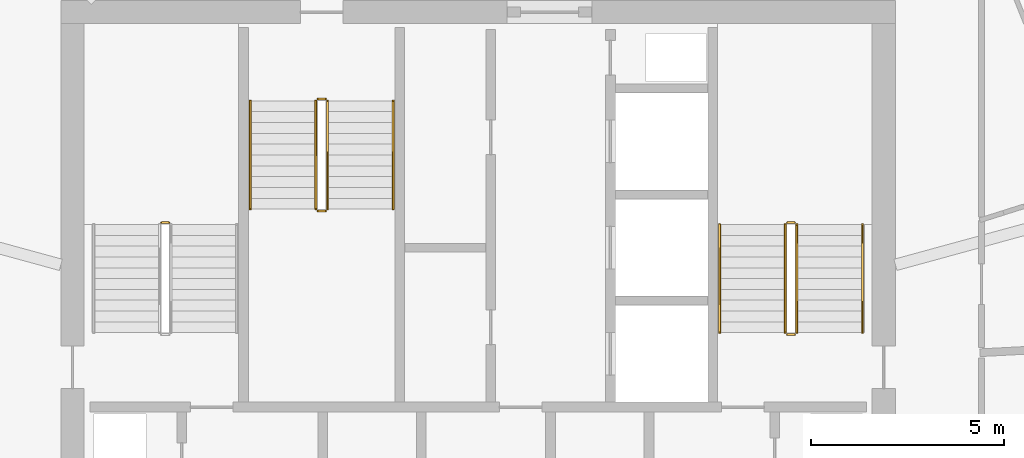
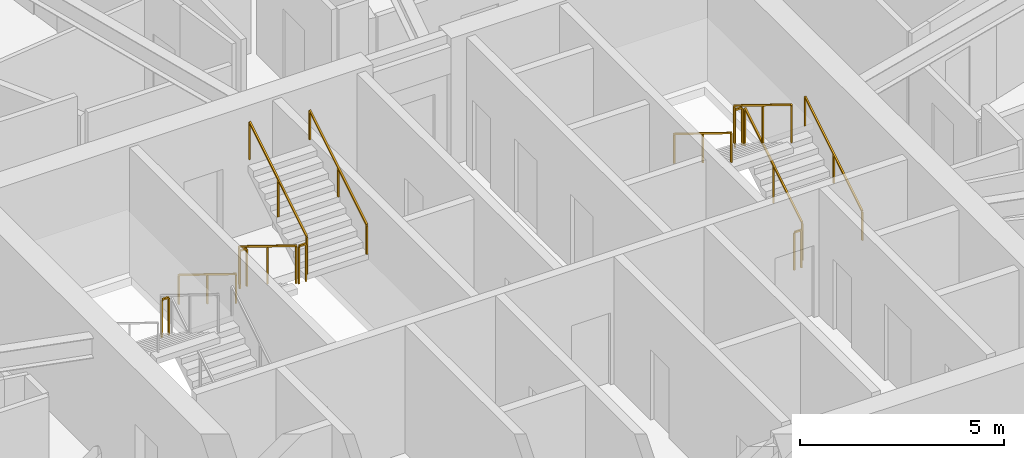
# One storey, part 27 of 28: 13 railings.
"""IFC4 building model written with IfcOpenShell, lengths in metres."""

from ifc_helpers import new_model, si_unit, direction, frame, origin, origin_2d, place, context, subcontext, project, spatial, rectangle, extrude, material, type_object, element, save


model = new_model("IFC4")

# Units and contexts
model_context = context("Model", 3, precision=1e-05, world=origin(), true_north=direction((0.0, 1.0)))
body_context = subcontext(model_context, "Body", "Model", "MODEL_VIEW")
ifc_project = project(units=[si_unit("LENGTHUNIT", "METRE"), si_unit("AREAUNIT", "SQUARE_METRE"), si_unit("VOLUMEUNIT", "CUBIC_METRE"), si_unit("PLANEANGLEUNIT", "RADIAN"), si_unit("MASSUNIT", "GRAM", prefix="KILO")], contexts=[model_context])

# Site, building, storey
site_placement = place(None, origin())
site = spatial("IfcSite", under=ifc_project, at=site_placement, CompositionType="ELEMENT")
building_placement = place(site_placement, origin())
building = spatial("IfcBuilding", under=site, at=building_placement, Name="Zuhravey Tower", CompositionType="ELEMENT")
storey_placement = place(building_placement, frame((0.0, 0.0, 284.39990234375)))
storey = spatial("IfcBuildingStorey", under=building, at=storey_placement, Name="L72", CompositionType="ELEMENT", Elevation=284.39990234375)

# Railings
ifc_material_1 = material(Name="Brushed stainless steel", Category="steel")
railing_type_1 = type_object("IfcRailingType", Name="Stair Wall Handrail 900", PredefinedType="HANDRAIL", material=ifc_material_1)
railing_1_placement = place(storey_placement, frame((45.949951171875, 33.199951171875, 0.1728515625)))
element("IfcRailing", 1, at=railing_1_placement, inside=storey, type_object=railing_type_1, Name="L72 ST2 stair handrail 1", PredefinedType="HANDRAIL", context=body_context, shape_type="SweptSolid", body=[
    extrude(rectangle(XDim=0.048095703125, YDim=0.048095703125, at=origin_2d()), frame((0.0, 0.001708984375, 0.876953125), z_axis=(0.0, 0.851089632645, 0.525020415988), x_axis=(-1.0, 0.0, 0.0)), (0.0, 0.0, 1.0), 3.285888671875),
    extrude(rectangle(XDim=0.0419921875, YDim=0.0419921875, at=origin_2d()), origin(), (0.0, 0.0, 1.0), 0.849853515625),
    extrude(rectangle(XDim=0.0419921875, YDim=0.0419921875, at=origin_2d()), frame((0.0, 1.39990234375, 0.86376953125)), (0.0, 0.0, 1.0), 0.849853515625),
    extrude(rectangle(XDim=0.0419921875, YDim=0.0419921875, at=origin_2d()), frame((0.0, 2.800048828125, 1.727294921875)), (0.0, 0.0, 1.0), 0.849853515625),
])
for number, where, name in (
    (2, (42.25, 36.0, 2.07275390625), "L72 ST2 stair handrail 2"),
    (3, (30.10009765625, 39.199951171875, 0.1728515625), "L72 ST3 stair handrail 1"),
):
    element("IfcRailing", number, at=place(storey_placement, frame(where)), inside=storey, type_object=railing_type_1, Name=name, PredefinedType="HANDRAIL", context=body_context, shape_type="SweptSolid", body=[
        extrude(rectangle(XDim=0.048095703125, YDim=0.048095703125, at=origin_2d()), frame((0.0, -0.001708984375, 0.876953125), z_axis=(0.0, -0.851089632645, 0.525020415988), x_axis=(1.0, 0.0, 0.0)), (0.0, 0.0, 1.0), 3.285888671875),
        extrude(rectangle(XDim=0.0419921875, YDim=0.0419921875, at=origin_2d()), origin(), (0.0, 0.0, 1.0), 0.849853515625),
        extrude(rectangle(XDim=0.0419921875, YDim=0.0419921875, at=origin_2d()), frame((0.0, -1.39990234375, 0.86376953125)), (0.0, 0.0, 1.0), 0.849853515625),
        extrude(rectangle(XDim=0.0419921875, YDim=0.0419921875, at=origin_2d()), frame((0.0, -2.800048828125, 1.727294921875)), (0.0, 0.0, 1.0), 0.849853515625),
    ])
railing_2_placement = place(storey_placement, frame((33.800048828125, 36.39990234375, 2.07275390625)))
element("IfcRailing", 4, at=railing_2_placement, inside=storey, type_object=railing_type_1, Name="L72 ST3 stair handrail 2", PredefinedType="HANDRAIL", context=body_context, shape_type="SweptSolid", body=[
    extrude(rectangle(XDim=0.048095703125, YDim=0.048095703125, at=origin_2d()), frame((0.0, 0.001708984375, 0.876953125), z_axis=(0.0, 0.851089632645, 0.525020415988), x_axis=(-1.0, 0.0, 0.0)), (0.0, 0.0, 1.0), 3.285888671875),
    extrude(rectangle(XDim=0.0419921875, YDim=0.0419921875, at=origin_2d()), origin(), (0.0, 0.0, 1.0), 0.849853515625),
    extrude(rectangle(XDim=0.0419921875, YDim=0.0419921875, at=origin_2d()), frame((0.0, 1.39990234375, 0.86376953125)), (0.0, 0.0, 1.0), 0.849853515625),
    extrude(rectangle(XDim=0.0419921875, YDim=0.0419921875, at=origin_2d()), frame((0.0, 2.800048828125, 1.727294921875)), (0.0, 0.0, 1.0), 0.849853515625),
])
ifc_material_2 = material(Name="Painted tubular steel", Category="steel")
railing_type_2 = type_object("IfcRailingType", Name="Stair Well Guardrail 1150", PredefinedType="GUARDRAIL", material=ifc_material_2)
railing_3_placement = place(storey_placement, frame((28.0, 36.050048828125, 1.900146484375)))
element("IfcRailing", 5, at=railing_3_placement, inside=storey, type_object=railing_type_2, Name="L72 ST1 stair guard 2", PredefinedType="GUARDRAIL", context=body_context, shape_type="SweptSolid", body=[
    extrude(rectangle(XDim=0.048095703125, YDim=0.048095703125, at=origin_2d()), frame((-0.001953125, 0.0, 1.1259765625), z_axis=(-1.0, 0.0, 0.0), x_axis=(0.0, -1.0, 0.0)), (0.0, 0.0, 1.0), 0.196044921875),
    extrude(rectangle(XDim=0.0419921875, YDim=0.0419921875, at=origin_2d()), origin(), (0.0, 0.0, 1.0), 1.099853515625),
    extrude(rectangle(XDim=0.0419921875, YDim=0.0419921875, at=origin_2d()), frame((-0.199951171875, 0.0, 0.0)), (0.0, 0.0, 1.0), 1.099853515625),
])
railing_4_placement = place(storey_placement, frame((44.25, 33.199951171875, 0.1728515625)))
element("IfcRailing", 6, at=railing_4_placement, inside=storey, type_object=railing_type_2, Name="L72 ST2 stair guard 1", PredefinedType="GUARDRAIL", context=body_context, shape_type="SweptSolid", body=[
    extrude(rectangle(XDim=0.048095703125, YDim=0.048095703125, at=origin_2d()), frame((0.0, 0.001708984375, 1.126953125), z_axis=(0.0, 0.851089632645, 0.525020415988), x_axis=(-1.0, 0.0, 0.0)), (0.0, 0.0, 1.0), 3.285888671875),
    extrude(rectangle(XDim=0.0419921875, YDim=0.0419921875, at=origin_2d()), origin(), (0.0, 0.0, 1.0), 1.099853515625),
    extrude(rectangle(XDim=0.0419921875, YDim=0.0419921875, at=origin_2d()), frame((0.0, 1.39990234375, 0.86376953125)), (0.0, 0.0, 1.0), 1.099853515625),
    extrude(rectangle(XDim=0.0419921875, YDim=0.0419921875, at=origin_2d()), frame((0.0, 2.800048828125, 1.727294921875)), (0.0, 0.0, 1.0), 1.099853515625),
])
railing_5_placement = place(storey_placement, frame((44.199951171875, 36.050048828125, 1.900146484375)))
element("IfcRailing", 7, at=railing_5_placement, inside=storey, type_object=railing_type_2, Name="L72 ST2 stair guard 2", PredefinedType="GUARDRAIL", context=body_context, shape_type="SweptSolid", body=[
    extrude(rectangle(XDim=0.048095703125, YDim=0.048095703125, at=origin_2d()), frame((-0.001953125, 0.0, 1.1259765625), z_axis=(-1.0, 0.0, 0.0), x_axis=(0.0, -1.0, 0.0)), (0.0, 0.0, 1.0), 0.196044921875),
    extrude(rectangle(XDim=0.0419921875, YDim=0.0419921875, at=origin_2d()), origin(), (0.0, 0.0, 1.0), 1.099853515625),
    extrude(rectangle(XDim=0.0419921875, YDim=0.0419921875, at=origin_2d()), frame((-0.199951171875, 0.0, 0.0)), (0.0, 0.0, 1.0), 1.099853515625),
])
railing_6_placement = place(storey_placement, frame((43.949951171875, 36.0, 2.07275390625)))
element("IfcRailing", 8, at=railing_6_placement, inside=storey, type_object=railing_type_2, Name="L72 ST2 stair guard 3", PredefinedType="GUARDRAIL", context=body_context, shape_type="SweptSolid", body=[
    extrude(rectangle(XDim=0.048095703125, YDim=0.048095703125, at=origin_2d()), frame((0.0, -0.001708984375, 1.126953125), z_axis=(0.0, -0.851089632645, 0.525020415988), x_axis=(1.0, 0.0, 0.0)), (0.0, 0.0, 1.0), 3.285888671875),
    extrude(rectangle(XDim=0.0419921875, YDim=0.0419921875, at=origin_2d()), origin(), (0.0, 0.0, 1.0), 1.099853515625),
    extrude(rectangle(XDim=0.0419921875, YDim=0.0419921875, at=origin_2d()), frame((0.0, -1.39990234375, 0.86376953125)), (0.0, 0.0, 1.0), 1.099853515625),
    extrude(rectangle(XDim=0.0419921875, YDim=0.0419921875, at=origin_2d()), frame((0.0, -2.800048828125, 1.727294921875)), (0.0, 0.0, 1.0), 1.099853515625),
])
railing_7_placement = place(storey_placement, frame((44.199951171875, 33.14990234375, 0.0)))
element("IfcRailing", 9, at=railing_7_placement, inside=storey, type_object=railing_type_2, Name="L72 ST2 stair guard 4", PredefinedType="GUARDRAIL", context=body_context, shape_type="SweptSolid", body=[
    extrude(rectangle(XDim=0.048095703125, YDim=0.048095703125, at=origin_2d()), frame((-0.001953125, 0.0, 1.1259765625), z_axis=(-1.0, 0.0, 0.0), x_axis=(0.0, -1.0, 0.0)), (0.0, 0.0, 1.0), 0.196044921875),
    extrude(rectangle(XDim=0.0419921875, YDim=0.0419921875, at=origin_2d()), origin(), (0.0, 0.0, 1.0), 1.099853515625),
    extrude(rectangle(XDim=0.0419921875, YDim=0.0419921875, at=origin_2d()), frame((-0.199951171875, 0.0, 0.0)), (0.0, 0.0, 1.0), 1.099853515625),
])
railing_8_placement = place(storey_placement, frame((31.800048828125, 39.199951171875, 0.1728515625)))
element("IfcRailing", 10, at=railing_8_placement, inside=storey, type_object=railing_type_2, Name="L72 ST3 stair guard 1", PredefinedType="GUARDRAIL", context=body_context, shape_type="SweptSolid", body=[
    extrude(rectangle(XDim=0.048095703125, YDim=0.048095703125, at=origin_2d()), frame((0.0, -0.001708984375, 1.126953125), z_axis=(0.0, -0.851089632645, 0.525020415988), x_axis=(1.0, 0.0, 0.0)), (0.0, 0.0, 1.0), 3.285888671875),
    extrude(rectangle(XDim=0.0419921875, YDim=0.0419921875, at=origin_2d()), origin(), (0.0, 0.0, 1.0), 1.099853515625),
    extrude(rectangle(XDim=0.0419921875, YDim=0.0419921875, at=origin_2d()), frame((0.0, -1.39990234375, 0.86376953125)), (0.0, 0.0, 1.0), 1.099853515625),
    extrude(rectangle(XDim=0.0419921875, YDim=0.0419921875, at=origin_2d()), frame((0.0, -2.800048828125, 1.727294921875)), (0.0, 0.0, 1.0), 1.099853515625),
])
railing_9_placement = place(storey_placement, frame((31.85009765625, 36.35009765625, 1.900146484375)))
element("IfcRailing", 11, at=railing_9_placement, inside=storey, type_object=railing_type_2, Name="L72 ST3 stair guard 2", PredefinedType="GUARDRAIL", context=body_context, shape_type="SweptSolid", body=[
    extrude(rectangle(XDim=0.048095703125, YDim=0.048095703125, at=origin_2d()), frame((0.001953125, 0.0, 1.1259765625), z_axis=(1.0, 0.0, 0.0), x_axis=(0.0, 1.0, 0.0)), (0.0, 0.0, 1.0), 0.196044921875),
    extrude(rectangle(XDim=0.0419921875, YDim=0.0419921875, at=origin_2d()), origin(), (0.0, 0.0, 1.0), 1.099853515625),
    extrude(rectangle(XDim=0.0419921875, YDim=0.0419921875, at=origin_2d()), frame((0.199951171875, 0.0, 0.0)), (0.0, 0.0, 1.0), 1.099853515625),
])
railing_10_placement = place(storey_placement, frame((32.10009765625, 36.39990234375, 2.07275390625)))
element("IfcRailing", 12, at=railing_10_placement, inside=storey, type_object=railing_type_2, Name="L72 ST3 stair guard 3", PredefinedType="GUARDRAIL", context=body_context, shape_type="SweptSolid", body=[
    extrude(rectangle(XDim=0.048095703125, YDim=0.048095703125, at=origin_2d()), frame((0.0, 0.001708984375, 1.126953125), z_axis=(0.0, 0.851089632645, 0.525020415988), x_axis=(-1.0, 0.0, 0.0)), (0.0, 0.0, 1.0), 3.285888671875),
    extrude(rectangle(XDim=0.0419921875, YDim=0.0419921875, at=origin_2d()), origin(), (0.0, 0.0, 1.0), 1.099853515625),
    extrude(rectangle(XDim=0.0419921875, YDim=0.0419921875, at=origin_2d()), frame((0.0, 1.39990234375, 0.86376953125)), (0.0, 0.0, 1.0), 1.099853515625),
    extrude(rectangle(XDim=0.0419921875, YDim=0.0419921875, at=origin_2d()), frame((0.0, 2.800048828125, 1.727294921875)), (0.0, 0.0, 1.0), 1.099853515625),
])
railing_11_placement = place(storey_placement, frame((31.85009765625, 39.25, 0.0)))
element("IfcRailing", 13, at=railing_11_placement, inside=storey, type_object=railing_type_2, Name="L72 ST3 stair guard 4", PredefinedType="GUARDRAIL", context=body_context, shape_type="SweptSolid", body=[
    extrude(rectangle(XDim=0.048095703125, YDim=0.048095703125, at=origin_2d()), frame((0.001953125, 0.0, 1.1259765625), z_axis=(1.0, 0.0, 0.0), x_axis=(0.0, 1.0, 0.0)), (0.0, 0.0, 1.0), 0.196044921875),
    extrude(rectangle(XDim=0.0419921875, YDim=0.0419921875, at=origin_2d()), origin(), (0.0, 0.0, 1.0), 1.099853515625),
    extrude(rectangle(XDim=0.0419921875, YDim=0.0419921875, at=origin_2d()), frame((0.199951171875, 0.0, 0.0)), (0.0, 0.0, 1.0), 1.099853515625),
])

save(model, "model.ifc")
